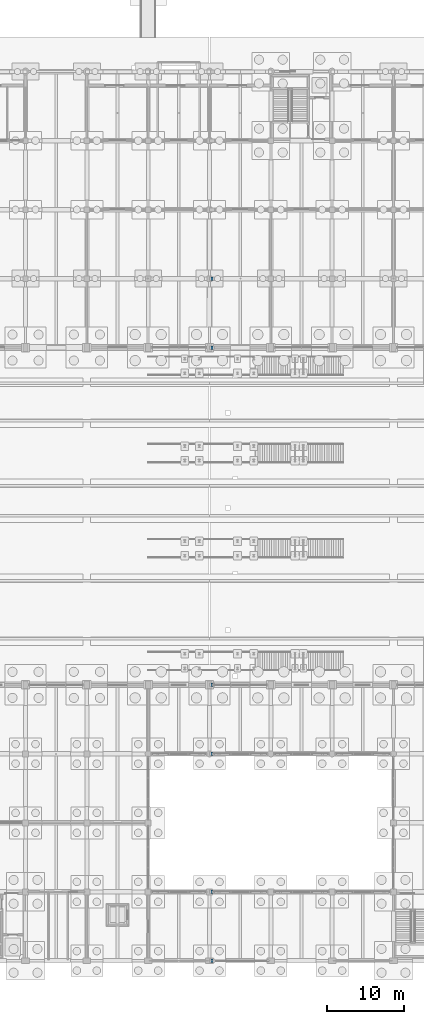
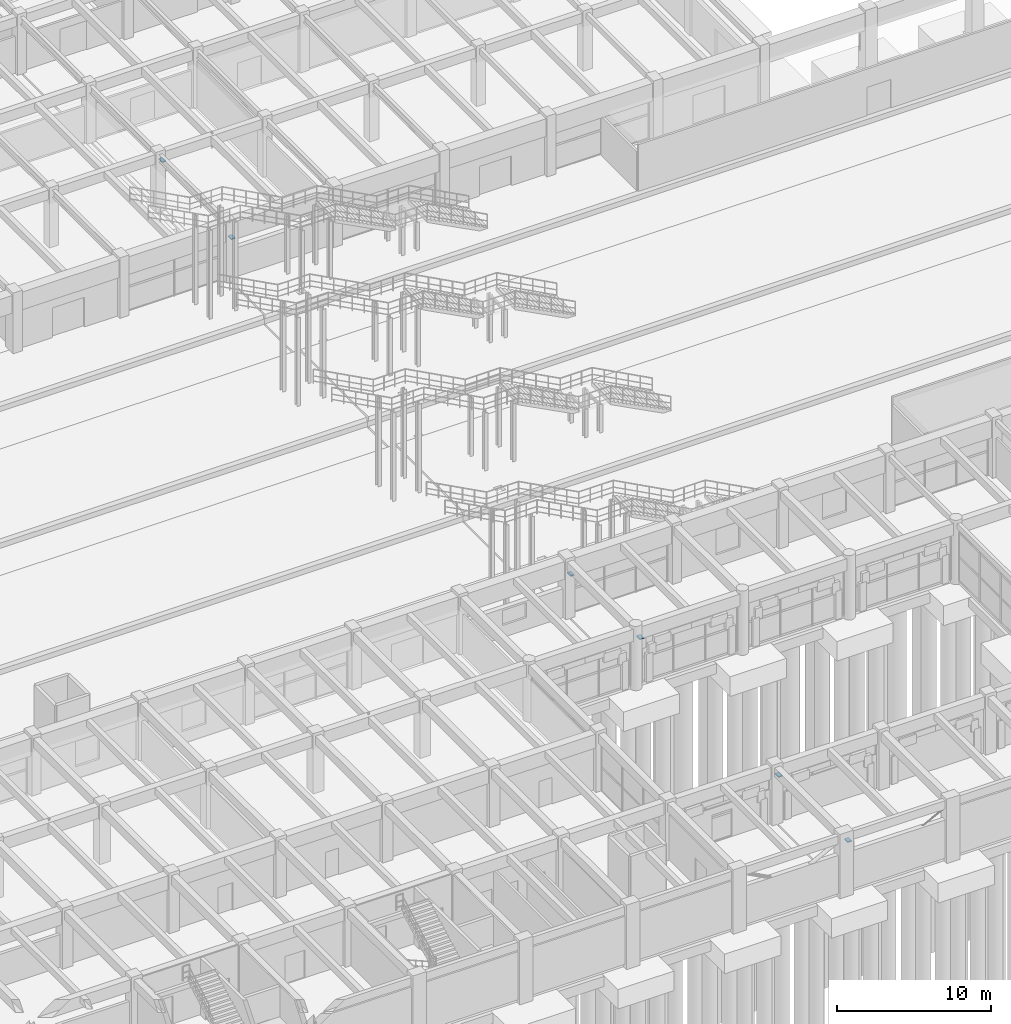
# One storey, part 132 of 147: 6 discrete accessories.
"""IFC4 building model written with IfcOpenShell, lengths in metres."""

from ifc_helpers import new_model, si_unit, direction, frame, origin, origin_2d, place, context, subcontext, project, spatial, rectangle, extrude, material, layer, layer_set, type_object, element, save


model = new_model("IFC4")

# Units and contexts
model_context = context("Model", 3, precision=1e-05, world=origin(), true_north=direction((0.0, 1.0)))
body_context = subcontext(model_context, "Body", "Model", "MODEL_VIEW")
ifc_project = project(units=[si_unit("LENGTHUNIT", "METRE"), si_unit("AREAUNIT", "SQUARE_METRE"), si_unit("VOLUMEUNIT", "CUBIC_METRE"), si_unit("PLANEANGLEUNIT", "RADIAN"), si_unit("MASSUNIT", "GRAM", prefix="KILO")], contexts=[model_context])

# Site, building, storey
site_placement = place(None, origin())
site = spatial("IfcSite", under=ifc_project, at=site_placement, CompositionType="ELEMENT")
building_placement = place(site_placement, origin())
building = spatial("IfcBuilding", under=site, at=building_placement, Name="Varnabhumi Central Station", CompositionType="ELEMENT")
storey_placement = place(building_placement, origin())
storey = spatial("IfcBuildingStorey", under=building, at=storey_placement, Name="L00", CompositionType="ELEMENT", Elevation=0.0)

# Discrete accessories
ifc_material = material(Name="Structural steel E350", Category="steel")
ifc_layer = layer(ifc_material, 0.080078125, Name="Structural steel E350", Category="steel")
ifc_layer_set = layer_set([ifc_layer], Name="Structural steel E350")
discrete_accessory_type = type_object("IfcDiscreteAccessoryType", Name="ACC-BEARING-SHOE", PredefinedType="SHOE", material=ifc_layer_set)
for number, where, z_axis, x_axis, name in (
    (1, (120.324951171875, 0.0, 3.820068359375), (0.0, 0.0, 1.0), (1.0, 0.0, 0.0), "Movement Joint Bearing L00-A-16"),
    (2, (120.324951171875, 9.0, 3.52001953125), (0.0, 0.0, 1.0), (1.0, 0.0, 0.0), "Movement Joint Bearing L00-B-16"),
    (3, (120.324951171875, 27.0, 3.52001953125), (0.0, 0.0, 1.0), (1.0, 0.0, 0.0), "Movement Joint Bearing L00-D-16"),
    (4, (120.324951171875, 36.0, 3.070068359375), (0.0, 0.0, 1.0), (1.0, 0.0, 0.0), "Movement Joint Bearing L00-E-16"),
    (5, (120.324951171875, 80.0, 3.070068359375), (0.0, 0.0, 1.0), (1.0, 0.0, 0.0), "Movement Joint Bearing L00-K-16"),
    (6, (120.324951171875, 89.0, 3.719970703125), (0.0, 0.0, 1.0), (1.0, 0.0, 0.0), "Movement Joint Bearing L00-L-16"),
):
    element("IfcDiscreteAccessory", number, at=place(storey_placement, frame(where, z_axis=z_axis, x_axis=x_axis)), inside=storey, type_object=discrete_accessory_type, Name=name, PredefinedType="SHOE", context=body_context, shape_type="SweptSolid", body=[
        extrude(rectangle(XDim=0.300048828125, YDim=0.449951171875, at=origin_2d()), origin(), (0.0, 0.0, 1.0), 0.080078125),
    ])

save(model, "model.ifc")
